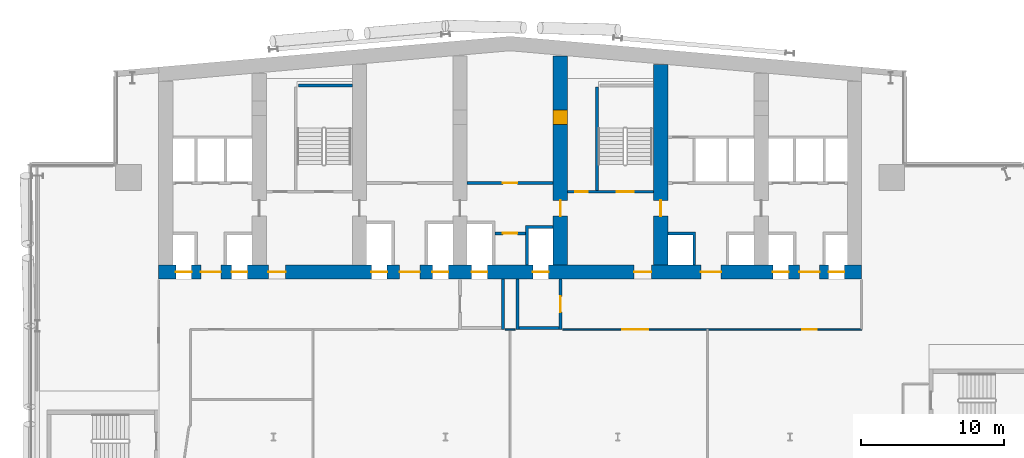
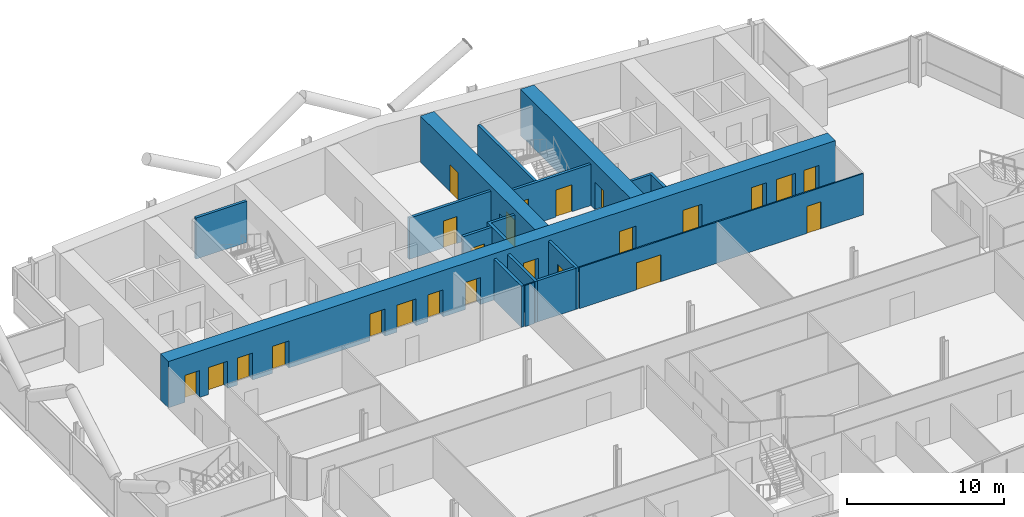
# One storey, part 18 of 28: 24 doors, 16 walls, 24 openings.
"""IFC4 building model written with IfcOpenShell, lengths in metres."""

from ifc_helpers import new_model, si_unit, direction, frame, frame_2d, origin, place, context, subcontext, project, spatial, polyline, rectangle, outline, extrude, material, layer, layer_set, type_object, element, fill, save


model = new_model("IFC4")

# Units and contexts
model_context = context("Model", 3, precision=1e-05, world=origin(), true_north=direction((0.0, 1.0)))
body_context = subcontext(model_context, "Body", "Model", "MODEL_VIEW")
ifc_project = project(units=[si_unit("LENGTHUNIT", "METRE"), si_unit("AREAUNIT", "SQUARE_METRE"), si_unit("VOLUMEUNIT", "CUBIC_METRE"), si_unit("PLANEANGLEUNIT", "RADIAN"), si_unit("MASSUNIT", "GRAM", prefix="KILO")], contexts=[model_context])

# Site, building, storey
site_placement = place(None, origin())
site = spatial("IfcSite", under=ifc_project, at=site_placement, CompositionType="ELEMENT")
building_placement = place(site_placement, origin())
building = spatial("IfcBuilding", under=site, at=building_placement, Name="Wharfspan Tower", CompositionType="ELEMENT")
storey_placement = place(building_placement, frame((0.0, 0.0, 132.699951)))
storey = spatial("IfcBuildingStorey", under=building, at=storey_placement, Name="L31", CompositionType="ELEMENT", Elevation=132.699951)

# Wall
ifc_material_1 = material(Name="Gypsum board on steel studs", Category="steel")
ifc_layer_1 = layer(ifc_material_1, 0.100098)
ifc_layer_set_1 = layer_set([ifc_layer_1], Name="Gypsum board on steel studs")
wall_type_1 = type_object("IfcWallType", Name="Compartment wall 100 EI 60", PredefinedType="PARTITIONING", material=ifc_layer_set_1)
wall_1_placement = place(storey_placement, frame((40.149902, 30.5, 0.0), z_axis=(0.0, 0.0, 1.0), x_axis=(1.0, 0.0, 0.0)))
element("IfcWall", 1, at=wall_1_placement, inside=storey, type_object=wall_type_1, Name="Partition L31.w017 (2)", PredefinedType="PARTITIONING", context=body_context, shape_type="SweptSolid", body=[
    extrude(rectangle(XDim=0.700195, YDim=0.100098, at=frame_2d((0.350098, 0.0))), origin(), (0.0, 0.0, 1.0), 3.199951),
])

# Wall, openings, doors
wall_2_placement = place(storey_placement, frame((44.149902, 30.5, 0.0), z_axis=(0.0, 0.0, 1.0), x_axis=(1.0, 0.0, 0.0)))
wall_2 = element("IfcWall", 2, at=wall_2_placement, inside=storey, type_object=wall_type_1, Name="Partition L31.w017 (3)", PredefinedType="PARTITIONING", context=body_context, shape_type="SweptSolid", body=[
    extrude(rectangle(XDim=20.850098, YDim=0.100098, at=frame_2d((10.425049, 0.0))), origin(), (0.0, 0.0, 1.0), 3.199951),
])
opening_1_placement = place(wall_2_placement, frame((4.169922, 0.0, 0.0)))
opening_1 = element("IfcOpeningElement", 3, at=opening_1_placement, cuts=wall_2, Name="Opening B5-32", PredefinedType="OPENING", context=body_context, shape_type="SweptSolid", body=[
    extrude(rectangle(XDim=1.800049, YDim=2.100098, at=frame_2d((0.899902, 1.050049))), frame((0.0, 0.060059, 0.0), z_axis=(0.0, -1.0, 0.0), x_axis=(1.0, 0.0, 0.0)), (0.0, 0.0, 1.0), 0.120117),
])
opening_2_placement = place(wall_2_placement, frame((16.719971, 0.0, 0.0)))
opening_2 = element("IfcOpeningElement", 4, at=opening_2_placement, cuts=wall_2, Name="Opening B5-33", PredefinedType="OPENING", context=body_context, shape_type="SweptSolid", body=[
    extrude(rectangle(XDim=1.0, YDim=2.100098, at=frame_2d((0.5, 1.050049))), frame((0.0, 0.060059, 0.0), z_axis=(0.0, -1.0, 0.0), x_axis=(1.0, 0.0, 0.0)), (0.0, 0.0, 1.0), 0.120117),
])
ifc_material_2 = material(Name="Fire-rated timber door leaf in steel frame", Category="steel")
door_type_1 = type_object("IfcDoorType", Name="Door 1000 FD30S Right", OperationType="SINGLE_SWING_RIGHT", PredefinedType="DOOR", material=ifc_material_2)
door_1_placement = place(opening_2_placement, origin())
door_1 = element("IfcDoor", 5, at=door_1_placement, inside=storey, type_object=door_type_1, Name="Door B5-33", OperationType="SINGLE_SWING_RIGHT", OverallHeight=2.100098, OverallWidth=1.0, PredefinedType="DOOR", context=body_context, shape_type="SweptSolid", body=[
    extrude(rectangle(XDim=1.0, YDim=2.100098, at=frame_2d((0.5, 1.050049))), frame((0.0, 0.024902, 0.0), z_axis=(0.0, -1.0, 0.0), x_axis=(1.0, 0.0, 0.0)), (0.0, 0.0, 1.0), 0.050049),
])
fill(opening_2, door_1)
door_type_2 = type_object("IfcDoorType", Name="Door 1800 FD30S Double", OperationType="DOUBLE_DOOR_SINGLE_SWING", PredefinedType="DOOR", material=ifc_material_2)
door_2_placement = place(opening_1_placement, origin())
door_2 = element("IfcDoor", 6, at=door_2_placement, inside=storey, type_object=door_type_2, Name="Door B5-32", OperationType="DOUBLE_DOOR_SINGLE_SWING", OverallHeight=2.100098, OverallWidth=1.800049, PredefinedType="DOOR", context=body_context, shape_type="SweptSolid", body=[
    extrude(rectangle(XDim=1.800049, YDim=2.100098, at=frame_2d((0.899902, 1.050049))), frame((0.0, 0.024902, 0.0), z_axis=(0.0, -1.0, 0.0), x_axis=(1.0, 0.0, 0.0)), (0.0, 0.0, 1.0), 0.050049),
])
fill(opening_1, door_2)

# Wall, opening, door
ifc_material_3 = material(Name="Calcium silicate masonry", Category="masonry")
ifc_layer_2 = layer(ifc_material_3, 0.199951)
ifc_layer_set_2 = layer_set([ifc_layer_2], Name="Calcium silicate masonry")
wall_type_2 = type_object("IfcWallType", Name="Core room wall 200", PredefinedType="PARTITIONING", material=ifc_layer_set_2)
wall_3_placement = place(storey_placement, frame((39.43335, 37.199951, 0.0), z_axis=(0.0, 0.0, 1.0), x_axis=(1.0, 0.0, 0.0)))
wall_3 = element("IfcWall", 7, at=wall_3_placement, inside=storey, type_object=wall_type_2, Name="sw:L31:FR4.2", PredefinedType="PARTITIONING", context=body_context, shape_type="SweptSolid", body=[
    extrude(rectangle(XDim=2.133301, YDim=0.199951, at=frame_2d((1.06665, 0.0))), origin(), (0.0, 0.0, 1.0), 3.199951),
])
opening_3_placement = place(wall_3_placement, frame((0.56665, 0.0, 0.0)))
opening_3 = element("IfcOpeningElement", 8, at=opening_3_placement, cuts=wall_3, Name="Opening CD31.4H2", PredefinedType="OPENING", context=body_context, shape_type="SweptSolid", body=[
    extrude(rectangle(XDim=1.0, YDim=2.100098, at=frame_2d((0.5, 1.050049))), frame((0.0, 0.109863, 0.0), z_axis=(0.0, -1.0, 0.0), x_axis=(1.0, 0.0, 0.0)), (0.0, 0.0, 1.0), 0.219971),
])
ifc_material_4 = material(Name="Steel door leaf", Category="steel")
door_type_3 = type_object("IfcDoorType", Name="Core room door 1000x2100", OperationType="SINGLE_SWING_LEFT", PredefinedType="DOOR", material=ifc_material_4)
door_3_placement = place(opening_3_placement, origin())
door_3 = element("IfcDoor", 9, at=door_3_placement, inside=storey, type_object=door_type_3, Name="d:L31:4:fh4.2", OperationType="SINGLE_SWING_RIGHT", OverallHeight=2.100098, OverallWidth=1.0, PredefinedType="DOOR", context=body_context, shape_type="SweptSolid", body=[
    extrude(rectangle(XDim=1.0, YDim=2.100098, at=frame_2d((0.5, 1.050049))), frame((0.0, 0.024902, 0.0), z_axis=(0.0, -1.0, 0.0), x_axis=(1.0, 0.0, 0.0)), (0.0, 0.0, 1.0), 0.050049),
])
fill(opening_3, door_3)

# Wall, openings, doors
ifc_material_5 = material(Name="Concrete C70/85", Category="concrete")
ifc_layer_3 = layer(ifc_material_5, 1.0)
ifc_layer_set_3 = layer_set([ifc_layer_3], Name="Concrete C70/85")
wall_type_3 = type_object("IfcWallType", Name="Core wall 1000 C70/85", PredefinedType="SHEAR", material=ifc_layer_set_3)
wall_4_placement = place(storey_placement, frame((16.0, 34.5, 0.0), z_axis=(0.0, 0.0, 1.0), x_axis=(1.0, 0.0, 0.0)))
wall_4 = element("IfcWall", 10, at=wall_4_placement, inside=storey, type_object=wall_type_3, Name="Core front wall L31", PredefinedType="SHEAR", context=body_context, shape_type="SweptSolid", body=[
    extrude(rectangle(XDim=49.0, YDim=1.0, at=frame_2d((24.5, 0.0))), origin(), (0.0, 0.0, 1.0), 3.600098),
])
opening_4_placement = place(wall_4_placement, frame((1.199951, 0.0, 0.0)))
opening_4 = element("IfcOpeningElement", 11, at=opening_4_placement, cuts=wall_4, Name="Opening LD.LA1.L31", PredefinedType="OPENING", context=body_context, shape_type="SweptSolid", body=[
    extrude(rectangle(XDim=1.100098, YDim=2.100098, at=frame_2d((0.550049, 1.050049))), frame((0.0, 0.51001, 0.0), z_axis=(0.0, -1.0, 0.0), x_axis=(1.0, 0.0, 0.0)), (0.0, 0.0, 1.0), 1.02002),
])
opening_5_placement = place(wall_4_placement, frame((5.083252, 0.0, 0.0)))
opening_5 = element("IfcOpeningElement", 12, at=opening_5_placement, cuts=wall_4, Name="Opening LD.LA2.L31", PredefinedType="OPENING", context=body_context, shape_type="SweptSolid", body=[
    extrude(rectangle(XDim=1.100098, YDim=2.100098, at=frame_2d((0.550049, 1.050049))), frame((0.0, 0.51001, 0.0), z_axis=(0.0, -1.0, 0.0), x_axis=(1.0, 0.0, 0.0)), (0.0, 0.0, 1.0), 1.02002),
])
opening_6_placement = place(wall_4_placement, frame((2.93335, 0.0, 0.0)))
opening_6 = element("IfcOpeningElement", 13, at=opening_6_placement, cuts=wall_4, Name="Opening HD31.1", PredefinedType="OPENING", context=body_context, shape_type="SweptSolid", body=[
    extrude(rectangle(XDim=1.399902, YDim=2.100098, at=frame_2d((0.699951, 1.050049))), frame((0.0, 0.51001, 0.0), z_axis=(0.0, -1.0, 0.0), x_axis=(1.0, 0.0, 0.0)), (0.0, 0.0, 1.0), 1.02002),
])
opening_7_placement = place(wall_4_placement, frame((7.649902, 0.0, 0.0)))
opening_7 = element("IfcOpeningElement", 14, at=opening_7_placement, cuts=wall_4, Name="Opening SV2.L31", PredefinedType="OPENING", context=body_context, shape_type="SweptSolid", body=[
    extrude(rectangle(XDim=1.199951, YDim=2.100098, at=frame_2d((0.600098, 1.050049))), frame((0.0, 0.51001, 0.0), z_axis=(0.0, -1.0, 0.0), x_axis=(1.0, 0.0, 0.0)), (0.0, 0.0, 1.0), 1.02002),
])
opening_8_placement = place(wall_4_placement, frame((14.81665, 0.0, 0.0)))
opening_8 = element("IfcOpeningElement", 15, at=opening_8_placement, cuts=wall_4, Name="Opening LD.SL1.L31", PredefinedType="OPENING", context=body_context, shape_type="SweptSolid", body=[
    extrude(rectangle(XDim=1.100098, YDim=2.100098, at=frame_2d((0.550049, 1.050049))), frame((0.0, 0.51001, 0.0), z_axis=(0.0, -1.0, 0.0), x_axis=(1.0, 0.0, 0.0)), (0.0, 0.0, 1.0), 1.02002),
])
opening_9_placement = place(wall_4_placement, frame((19.083252, 0.0, 0.0)))
opening_9 = element("IfcOpeningElement", 16, at=opening_9_placement, cuts=wall_4, Name="Opening LD.SL2.L31", PredefinedType="OPENING", context=body_context, shape_type="SweptSolid", body=[
    extrude(rectangle(XDim=1.100098, YDim=2.100098, at=frame_2d((0.550049, 1.050049))), frame((0.0, 0.51001, 0.0), z_axis=(0.0, -1.0, 0.0), x_axis=(1.0, 0.0, 0.0)), (0.0, 0.0, 1.0), 1.02002),
])
opening_10_placement = place(wall_4_placement, frame((16.800049, 0.0, 0.0)))
opening_10 = element("IfcOpeningElement", 17, at=opening_10_placement, cuts=wall_4, Name="Opening HD31.3", PredefinedType="OPENING", context=body_context, shape_type="SweptSolid", body=[
    extrude(rectangle(XDim=1.399902, YDim=2.100098, at=frame_2d((0.699951, 1.050049))), frame((0.0, 0.51001, 0.0), z_axis=(0.0, -1.0, 0.0), x_axis=(1.0, 0.0, 0.0)), (0.0, 0.0, 1.0), 1.02002),
])
opening_11_placement = place(wall_4_placement, frame((21.81665, 0.0, 0.0)))
opening_11 = element("IfcOpeningElement", 18, at=opening_11_placement, cuts=wall_4, Name="Opening LD.FF1.L31", PredefinedType="OPENING", context=body_context, shape_type="SweptSolid", body=[
    extrude(rectangle(XDim=1.100098, YDim=2.100098, at=frame_2d((0.550049, 1.050049))), frame((0.0, 0.51001, 0.0), z_axis=(0.0, -1.0, 0.0), x_axis=(1.0, 0.0, 0.0)), (0.0, 0.0, 1.0), 1.02002),
])
opening_12_placement = place(wall_4_placement, frame((26.083252, 0.0, 0.0)))
opening_12 = element("IfcOpeningElement", 19, at=opening_12_placement, cuts=wall_4, Name="Opening LD.FF2.L31", PredefinedType="OPENING", context=body_context, shape_type="SweptSolid", body=[
    extrude(rectangle(XDim=1.100098, YDim=2.100098, at=frame_2d((0.550049, 1.050049))), frame((0.0, 0.51001, 0.0), z_axis=(0.0, -1.0, 0.0), x_axis=(1.0, 0.0, 0.0)), (0.0, 0.0, 1.0), 1.02002),
])
opening_13_placement = place(wall_4_placement, frame((33.149902, 0.0, 0.0)))
opening_13 = element("IfcOpeningElement", 20, at=opening_13_placement, cuts=wall_4, Name="Opening SV5.L31", PredefinedType="OPENING", context=body_context, shape_type="SweptSolid", body=[
    extrude(rectangle(XDim=1.199951, YDim=2.100098, at=frame_2d((0.600098, 1.050049))), frame((0.0, 0.51001, 0.0), z_axis=(0.0, -1.0, 0.0), x_axis=(1.0, 0.0, 0.0)), (0.0, 0.0, 1.0), 1.02002),
])
opening_14_placement = place(wall_4_placement, frame((37.800049, 0.0, 0.0)))
opening_14 = element("IfcOpeningElement", 21, at=opening_14_placement, cuts=wall_4, Name="Opening HD31.6", PredefinedType="OPENING", context=body_context, shape_type="SweptSolid", body=[
    extrude(rectangle(XDim=1.399902, YDim=2.100098, at=frame_2d((0.699951, 1.050049))), frame((0.0, 0.51001, 0.0), z_axis=(0.0, -1.0, 0.0), x_axis=(1.0, 0.0, 0.0)), (0.0, 0.0, 1.0), 1.02002),
])
opening_15_placement = place(wall_4_placement, frame((42.81665, 0.0, 0.0)))
opening_15 = element("IfcOpeningElement", 22, at=opening_15_placement, cuts=wall_4, Name="Opening LD.LA6.L31", PredefinedType="OPENING", context=body_context, shape_type="SweptSolid", body=[
    extrude(rectangle(XDim=1.100098, YDim=2.100098, at=frame_2d((0.550049, 1.050049))), frame((0.0, 0.51001, 0.0), z_axis=(0.0, -1.0, 0.0), x_axis=(1.0, 0.0, 0.0)), (0.0, 0.0, 1.0), 1.02002),
])
opening_16_placement = place(wall_4_placement, frame((46.699951, 0.0, 0.0)))
opening_16 = element("IfcOpeningElement", 23, at=opening_16_placement, cuts=wall_4, Name="Opening LD.LA7.L31", PredefinedType="OPENING", context=body_context, shape_type="SweptSolid", body=[
    extrude(rectangle(XDim=1.100098, YDim=2.100098, at=frame_2d((0.550049, 1.050049))), frame((0.0, 0.51001, 0.0), z_axis=(0.0, -1.0, 0.0), x_axis=(1.0, 0.0, 0.0)), (0.0, 0.0, 1.0), 1.02002),
])
opening_17_placement = place(wall_4_placement, frame((44.666748, 0.0, 0.0)))
opening_17 = element("IfcOpeningElement", 24, at=opening_17_placement, cuts=wall_4, Name="Opening HD31.7", PredefinedType="OPENING", context=body_context, shape_type="SweptSolid", body=[
    extrude(rectangle(XDim=1.399902, YDim=2.100098, at=frame_2d((0.699951, 1.050049))), frame((0.0, 0.51001, 0.0), z_axis=(0.0, -1.0, 0.0), x_axis=(1.0, 0.0, 0.0)), (0.0, 0.0, 1.0), 1.02002),
])
door_type_4 = type_object("IfcDoorType", Name="Hall entry door 1400x2100", OperationType="DOUBLE_DOOR_SINGLE_SWING", PredefinedType="DOOR", material=ifc_material_4)
door_4_placement = place(opening_6_placement, origin())
door_4 = element("IfcDoor", 25, at=door_4_placement, inside=storey, type_object=door_type_4, Name="d:L31:1:hd1", OperationType="DOUBLE_DOOR_SINGLE_SWING", OverallHeight=2.100098, OverallWidth=1.399902, PredefinedType="DOOR", context=body_context, shape_type="SweptSolid", body=[
    extrude(rectangle(XDim=1.399902, YDim=2.100098, at=frame_2d((0.699951, 1.050049))), frame((0.0, 0.024902, 0.0), z_axis=(0.0, -1.0, 0.0), x_axis=(1.0, 0.0, 0.0)), (0.0, 0.0, 1.0), 0.050049),
])
fill(opening_6, door_4)
door_5_placement = place(opening_10_placement, origin())
door_5 = element("IfcDoor", 26, at=door_5_placement, inside=storey, type_object=door_type_4, Name="d:L31:3:hd3", OperationType="DOUBLE_DOOR_SINGLE_SWING", OverallHeight=2.100098, OverallWidth=1.399902, PredefinedType="DOOR", context=body_context, shape_type="SweptSolid", body=[
    extrude(rectangle(XDim=1.399902, YDim=2.100098, at=frame_2d((0.699951, 1.050049))), frame((0.0, 0.024902, 0.0), z_axis=(0.0, -1.0, 0.0), x_axis=(1.0, 0.0, 0.0)), (0.0, 0.0, 1.0), 0.050049),
])
fill(opening_10, door_5)
door_6_placement = place(opening_14_placement, origin())
door_6 = element("IfcDoor", 27, at=door_6_placement, inside=storey, type_object=door_type_4, Name="d:L31:6:hd6", OperationType="DOUBLE_DOOR_SINGLE_SWING", OverallHeight=2.100098, OverallWidth=1.399902, PredefinedType="DOOR", context=body_context, shape_type="SweptSolid", body=[
    extrude(rectangle(XDim=1.399902, YDim=2.100098, at=frame_2d((0.699951, 1.050049))), frame((0.0, 0.024902, 0.0), z_axis=(0.0, -1.0, 0.0), x_axis=(1.0, 0.0, 0.0)), (0.0, 0.0, 1.0), 0.050049),
])
fill(opening_14, door_6)
door_7_placement = place(opening_17_placement, origin())
door_7 = element("IfcDoor", 28, at=door_7_placement, inside=storey, type_object=door_type_4, Name="d:L31:7:hd7", OperationType="DOUBLE_DOOR_SINGLE_SWING", OverallHeight=2.100098, OverallWidth=1.399902, PredefinedType="DOOR", context=body_context, shape_type="SweptSolid", body=[
    extrude(rectangle(XDim=1.399902, YDim=2.100098, at=frame_2d((0.699951, 1.050049))), frame((0.0, 0.024902, 0.0), z_axis=(0.0, -1.0, 0.0), x_axis=(1.0, 0.0, 0.0)), (0.0, 0.0, 1.0), 0.050049),
])
fill(opening_17, door_7)
ifc_material_6 = material(Name="Stainless steel", Category="steel")
door_type_5 = type_object("IfcDoorType", Name="Lift landing door 1100x2100", OperationType="DOUBLE_DOOR_SLIDING", PredefinedType="DOOR", material=ifc_material_6)
door_8_placement = place(opening_4_placement, origin())
door_8 = element("IfcDoor", 29, at=door_8_placement, inside=storey, type_object=door_type_5, Name="Landing door LA1 L31", OperationType="DOUBLE_DOOR_SLIDING", OverallHeight=2.100098, OverallWidth=1.100098, PredefinedType="DOOR", context=body_context, shape_type="SweptSolid", body=[
    extrude(rectangle(XDim=1.100098, YDim=2.100098, at=frame_2d((0.550049, 1.050049))), frame((0.0, 0.024902, 0.0), z_axis=(0.0, -1.0, 0.0), x_axis=(1.0, 0.0, 0.0)), (0.0, 0.0, 1.0), 0.050049),
])
fill(opening_4, door_8)
door_9_placement = place(opening_5_placement, origin())
door_9 = element("IfcDoor", 30, at=door_9_placement, inside=storey, type_object=door_type_5, Name="Landing door LA2 L31", OperationType="DOUBLE_DOOR_SLIDING", OverallHeight=2.100098, OverallWidth=1.100098, PredefinedType="DOOR", context=body_context, shape_type="SweptSolid", body=[
    extrude(rectangle(XDim=1.100098, YDim=2.100098, at=frame_2d((0.550049, 1.050049))), frame((0.0, 0.024902, 0.0), z_axis=(0.0, -1.0, 0.0), x_axis=(1.0, 0.0, 0.0)), (0.0, 0.0, 1.0), 0.050049),
])
fill(opening_5, door_9)
door_10_placement = place(opening_8_placement, origin())
door_10 = element("IfcDoor", 31, at=door_10_placement, inside=storey, type_object=door_type_5, Name="Landing door SL1 L31", OperationType="DOUBLE_DOOR_SLIDING", OverallHeight=2.100098, OverallWidth=1.100098, PredefinedType="DOOR", context=body_context, shape_type="SweptSolid", body=[
    extrude(rectangle(XDim=1.100098, YDim=2.100098, at=frame_2d((0.550049, 1.050049))), frame((0.0, 0.024902, 0.0), z_axis=(0.0, -1.0, 0.0), x_axis=(1.0, 0.0, 0.0)), (0.0, 0.0, 1.0), 0.050049),
])
fill(opening_8, door_10)
door_11_placement = place(opening_9_placement, origin())
door_11 = element("IfcDoor", 32, at=door_11_placement, inside=storey, type_object=door_type_5, Name="Landing door SL2 L31", OperationType="DOUBLE_DOOR_SLIDING", OverallHeight=2.100098, OverallWidth=1.100098, PredefinedType="DOOR", context=body_context, shape_type="SweptSolid", body=[
    extrude(rectangle(XDim=1.100098, YDim=2.100098, at=frame_2d((0.550049, 1.050049))), frame((0.0, 0.024902, 0.0), z_axis=(0.0, -1.0, 0.0), x_axis=(1.0, 0.0, 0.0)), (0.0, 0.0, 1.0), 0.050049),
])
fill(opening_9, door_11)
door_12_placement = place(opening_11_placement, origin())
door_12 = element("IfcDoor", 33, at=door_12_placement, inside=storey, type_object=door_type_5, Name="Landing door FF1 L31", OperationType="DOUBLE_DOOR_SLIDING", OverallHeight=2.100098, OverallWidth=1.100098, PredefinedType="DOOR", context=body_context, shape_type="SweptSolid", body=[
    extrude(rectangle(XDim=1.100098, YDim=2.100098, at=frame_2d((0.550049, 1.050049))), frame((0.0, 0.024902, 0.0), z_axis=(0.0, -1.0, 0.0), x_axis=(1.0, 0.0, 0.0)), (0.0, 0.0, 1.0), 0.050049),
])
fill(opening_11, door_12)
door_13_placement = place(opening_12_placement, origin())
door_13 = element("IfcDoor", 34, at=door_13_placement, inside=storey, type_object=door_type_5, Name="Landing door FF2 L31", OperationType="DOUBLE_DOOR_SLIDING", OverallHeight=2.100098, OverallWidth=1.100098, PredefinedType="DOOR", context=body_context, shape_type="SweptSolid", body=[
    extrude(rectangle(XDim=1.100098, YDim=2.100098, at=frame_2d((0.550049, 1.050049))), frame((0.0, 0.024902, 0.0), z_axis=(0.0, -1.0, 0.0), x_axis=(1.0, 0.0, 0.0)), (0.0, 0.0, 1.0), 0.050049),
])
fill(opening_12, door_13)
door_14_placement = place(opening_15_placement, origin())
door_14 = element("IfcDoor", 35, at=door_14_placement, inside=storey, type_object=door_type_5, Name="Landing door LA6 L31", OperationType="DOUBLE_DOOR_SLIDING", OverallHeight=2.100098, OverallWidth=1.100098, PredefinedType="DOOR", context=body_context, shape_type="SweptSolid", body=[
    extrude(rectangle(XDim=1.100098, YDim=2.100098, at=frame_2d((0.550049, 1.050049))), frame((0.0, 0.024902, 0.0), z_axis=(0.0, -1.0, 0.0), x_axis=(1.0, 0.0, 0.0)), (0.0, 0.0, 1.0), 0.050049),
])
fill(opening_15, door_14)
door_15_placement = place(opening_16_placement, origin())
door_15 = element("IfcDoor", 36, at=door_15_placement, inside=storey, type_object=door_type_5, Name="Landing door LA7 L31", OperationType="DOUBLE_DOOR_SLIDING", OverallHeight=2.100098, OverallWidth=1.100098, PredefinedType="DOOR", context=body_context, shape_type="SweptSolid", body=[
    extrude(rectangle(XDim=1.100098, YDim=2.100098, at=frame_2d((0.550049, 1.050049))), frame((0.0, 0.024902, 0.0), z_axis=(0.0, -1.0, 0.0), x_axis=(1.0, 0.0, 0.0)), (0.0, 0.0, 1.0), 0.050049),
])
fill(opening_16, door_15)
door_type_6 = type_object("IfcDoorType", Name="Stair door 1200x2100", OperationType="SINGLE_SWING_LEFT", PredefinedType="DOOR", material=ifc_material_4)
door_16_placement = place(opening_7_placement, origin())
door_16 = element("IfcDoor", 37, at=door_16_placement, inside=storey, type_object=door_type_6, Name="vd:L31:2", OperationType="SINGLE_SWING_LEFT", OverallHeight=2.100098, OverallWidth=1.199951, PredefinedType="DOOR", context=body_context, shape_type="SweptSolid", body=[
    extrude(rectangle(XDim=1.199951, YDim=2.100098, at=frame_2d((0.600098, 1.050049))), frame((0.0, 0.024902, 0.0), z_axis=(0.0, -1.0, 0.0), x_axis=(1.0, 0.0, 0.0)), (0.0, 0.0, 1.0), 0.050049),
])
fill(opening_7, door_16)
door_17_placement = place(opening_13_placement, origin())
door_17 = element("IfcDoor", 38, at=door_17_placement, inside=storey, type_object=door_type_6, Name="vd:L31:5", OperationType="SINGLE_SWING_LEFT", OverallHeight=2.100098, OverallWidth=1.199951, PredefinedType="DOOR", context=body_context, shape_type="SweptSolid", body=[
    extrude(rectangle(XDim=1.199951, YDim=2.100098, at=frame_2d((0.600098, 1.050049))), frame((0.0, 0.024902, 0.0), z_axis=(0.0, -1.0, 0.0), x_axis=(1.0, 0.0, 0.0)), (0.0, 0.0, 1.0), 0.050049),
])
fill(opening_13, door_17)

wall_5_placement = place(storey_placement, frame((44.0, 35.0, 0.0), z_axis=(0.0, 0.0, 1.0), x_axis=(0.0, 1.0, 0.0)))
wall_5 = element("IfcWall", 39, at=wall_5_placement, inside=storey, type_object=wall_type_3, Name="Core cross wall X5 L31", PredefinedType="SHEAR", context=body_context, shape_type="SweptSolid", body=[
    extrude(rectangle(XDim=14.577148, YDim=1.0, at=frame_2d((7.288574, 0.0))), origin(), (0.0, 0.0, 1.0), 3.600098),
])
opening_18_placement = place(wall_5_placement, frame((3.399902, 0.0, 0.0)))
opening_18 = element("IfcOpeningElement", 40, at=opening_18_placement, cuts=wall_5, Name="Opening CC31.5", PredefinedType="OPENING", context=body_context, shape_type="SweptSolid", body=[
    extrude(rectangle(XDim=1.100098, YDim=2.100098, at=frame_2d((0.550049, 1.050049))), frame((0.0, 0.51001, 0.0), z_axis=(0.0, -1.0, 0.0), x_axis=(1.0, 0.0, 0.0)), (0.0, 0.0, 1.0), 1.02002),
])
opening_19_placement = place(wall_5_placement, frame((9.800049, 0.0, 0.0)))
opening_19 = element("IfcOpeningElement", 41, at=opening_19_placement, cuts=wall_5, Name="Opening CR31.5", PredefinedType="OPENING", context=body_context, shape_type="SweptSolid", body=[
    extrude(rectangle(XDim=1.0, YDim=2.100098, at=frame_2d((0.5, 1.050049))), frame((0.0, 0.51001, 0.0), z_axis=(0.0, -1.0, 0.0), x_axis=(1.0, 0.0, 0.0)), (0.0, 0.0, 1.0), 1.02002),
])
door_type_7 = type_object("IfcDoorType", Name="Core corridor door 1100x2100", OperationType="SINGLE_SWING_LEFT", PredefinedType="DOOR", material=ifc_material_4)
door_18_placement = place(opening_18_placement, origin())
door_18 = element("IfcDoor", 42, at=door_18_placement, inside=storey, type_object=door_type_7, Name="xd:L31:5", OperationType="SINGLE_SWING_LEFT", OverallHeight=2.100098, OverallWidth=1.100098, PredefinedType="DOOR", context=body_context, shape_type="SweptSolid", body=[
    extrude(rectangle(XDim=1.100098, YDim=2.100098, at=frame_2d((0.550049, 1.050049))), frame((0.0, 0.024902, 0.0), z_axis=(0.0, -1.0, 0.0), x_axis=(1.0, 0.0, 0.0)), (0.0, 0.0, 1.0), 0.050049),
])
fill(opening_18, door_18)
door_19_placement = place(opening_19_placement, origin())
door_19 = element("IfcDoor", 43, at=door_19_placement, inside=storey, type_object=door_type_3, Name="xr:L31:5", OperationType="SINGLE_SWING_RIGHT", OverallHeight=2.100098, OverallWidth=1.0, PredefinedType="DOOR", context=body_context, shape_type="SweptSolid", body=[
    extrude(rectangle(XDim=1.0, YDim=2.100098, at=frame_2d((0.5, 1.050049))), frame((0.0, 0.499756, 0.0), z_axis=(0.0, -1.0, 0.0), x_axis=(1.0, 0.0, 0.0)), (0.0, 0.0, 1.0), 0.999512),
])
fill(opening_19, door_19)

# Wall, opening, door
wall_6_placement = place(storey_placement, frame((51.0, 35.0, 0.0), z_axis=(0.0, 0.0, 1.0), x_axis=(0.0, 1.0, 0.0)))
wall_6 = element("IfcWall", 44, at=wall_6_placement, inside=storey, type_object=wall_type_3, Name="Core cross wall X6 L31", PredefinedType="SHEAR", context=body_context, shape_type="SweptSolid", body=[
    extrude(rectangle(XDim=13.9646, YDim=1.0, at=frame_2d((6.982422, 0.0))), origin(), (0.0, 0.0, 1.0), 3.600098),
])
opening_20_placement = place(wall_6_placement, frame((3.399902, 0.0, 0.0)))
opening_20 = element("IfcOpeningElement", 45, at=opening_20_placement, cuts=wall_6, Name="Opening CC31.6", PredefinedType="OPENING", context=body_context, shape_type="SweptSolid", body=[
    extrude(rectangle(XDim=1.100098, YDim=2.100098, at=frame_2d((0.550049, 1.050049))), frame((0.0, 0.51001, 0.0), z_axis=(0.0, -1.0, 0.0), x_axis=(1.0, 0.0, 0.0)), (0.0, 0.0, 1.0), 1.02002),
])
door_20_placement = place(opening_20_placement, origin())
door_20 = element("IfcDoor", 46, at=door_20_placement, inside=storey, type_object=door_type_7, Name="xd:L31:6", OperationType="SINGLE_SWING_RIGHT", OverallHeight=2.100098, OverallWidth=1.100098, PredefinedType="DOOR", context=body_context, shape_type="SweptSolid", body=[
    extrude(rectangle(XDim=1.100098, YDim=2.100098, at=frame_2d((0.550049, 1.050049))), frame((0.0, 0.024902, 0.0), z_axis=(0.0, -1.0, 0.0), x_axis=(1.0, 0.0, 0.0)), (0.0, 0.0, 1.0), 0.050049),
])
fill(opening_20, door_20)

ifc_material_7 = material(Name="Concrete C30/37", Category="concrete")
ifc_layer_4 = layer(ifc_material_7, 0.199951)
ifc_layer_set_4 = layer_set([ifc_layer_4], Name="Concrete C30/37")
wall_type_4 = type_object("IfcWallType", Name="Lift shaft wall 200", PredefinedType="PARTITIONING", material=ifc_layer_set_4)
wall_7_placement = place(storey_placement, frame((37.5, 40.699951, 0.0), z_axis=(0.0, 0.0, 1.0), x_axis=(1.0, 0.0, 0.0)))
wall_7 = element("IfcWall", 47, at=wall_7_placement, inside=storey, type_object=wall_type_4, Name="sw:L31:RF4", PredefinedType="PARTITIONING", context=body_context, shape_type="SweptSolid", body=[
    extrude(rectangle(XDim=6.0, YDim=0.199951, at=frame_2d((3.0, 0.0))), origin(), (0.0, 0.0, 1.0), 3.199951),
])
opening_21_placement = place(wall_7_placement, frame((2.5, 0.0, 0.0)))
opening_21 = element("IfcOpeningElement", 48, at=opening_21_placement, cuts=wall_7, Name="Opening CD31.4S", PredefinedType="OPENING", context=body_context, shape_type="SweptSolid", body=[
    extrude(rectangle(XDim=1.0, YDim=2.100098, at=frame_2d((0.5, 1.050049))), frame((0.0, 0.109863, 0.0), z_axis=(0.0, -1.0, 0.0), x_axis=(1.0, 0.0, 0.0)), (0.0, 0.0, 1.0), 0.219971),
])
door_21_placement = place(opening_21_placement, origin())
door_21 = element("IfcDoor", 49, at=door_21_placement, inside=storey, type_object=door_type_3, Name="d:L31:4:sf", OperationType="SINGLE_SWING_LEFT", OverallHeight=2.100098, OverallWidth=1.0, PredefinedType="DOOR", context=body_context, shape_type="SweptSolid", body=[
    extrude(rectangle(XDim=1.0, YDim=2.100098, at=frame_2d((0.5, 1.050049))), frame((0.0, 0.024902, 0.0), z_axis=(0.0, -1.0, 0.0), x_axis=(1.0, 0.0, 0.0)), (0.0, 0.0, 1.0), 0.050049),
])
fill(opening_21, door_21)

# Walls
wall_8_placement = place(storey_placement, frame((0.0, 0.0, -0.000244)))
element("IfcWall", 50, at=wall_8_placement, inside=storey, type_object=wall_type_4, Name="sw:L31:FM4.0", PredefinedType="PARTITIONING", context=body_context, shape_type="SweptSolid", body=[
    extrude(outline(polyline([(41.56665, 37.75), (41.766602, 37.75), (43.5, 37.75), (43.5, 37.550049), (41.766602, 37.550049), (41.766602, 35.0), (41.56665, 35.0), (41.56665, 37.75)])), origin(), (0.0, 0.0, 1.0), 3.200195),
])
wall_9_placement = place(storey_placement, frame((0.0, 0.0, -0.000244)))
element("IfcWall", 51, at=wall_9_placement, inside=storey, type_object=wall_type_4, Name="sw:L31:FM6.0", PredefinedType="PARTITIONING", context=body_context, shape_type="SweptSolid", body=[
    extrude(outline(polyline([(53.233398, 37.100098), (51.5, 37.100098), (51.5, 37.300049), (53.233398, 37.300049), (53.43335, 37.300049), (53.43335, 35.0), (53.233398, 35.0), (53.233398, 37.100098)])), origin(), (0.0, 0.0, 1.0), 3.200195),
])
ifc_layer_5 = layer(ifc_material_7, 0.199951)
ifc_layer_set_5 = layer_set([ifc_layer_5], Name="Concrete C30/37")
wall_type_5 = type_object("IfcWallType", Name="Lobby wall 200", PredefinedType="PARTITIONING", material=ifc_layer_set_5)
for number, where, z_axis, x_axis, name in (
    (52, (40.0, 30.5, 0.0), (0.0, 0.0, 1.0), (0.0, 1.0, 0.0), "sw:L31:FLFF1E"),
    (53, (41.0, 30.5, 0.0), (0.0, 0.0, 1.0), (0.0, 1.0, 0.0), "sw:L31:FLFF2W"),
):
    element("IfcWall", number, at=place(storey_placement, frame(where, z_axis=z_axis, x_axis=x_axis)), inside=storey, type_object=wall_type_5, Name=name, PredefinedType="PARTITIONING", context=body_context, shape_type="SweptSolid", body=[
        extrude(rectangle(XDim=3.5, YDim=0.199951, at=frame_2d((1.75, 0.0))), origin(), (0.0, 0.0, 1.0), 3.199951),
    ])

# Wall, opening, door
wall_10_placement = place(storey_placement, frame((44.0, 30.5, 0.0), z_axis=(0.0, 0.0, 1.0), x_axis=(0.0, 1.0, 0.0)))
wall_10 = element("IfcWall", 54, at=wall_10_placement, inside=storey, type_object=wall_type_5, Name="sw:L31:FLFF2E", PredefinedType="PARTITIONING", context=body_context, shape_type="SweptSolid", body=[
    extrude(rectangle(XDim=3.5, YDim=0.199951, at=frame_2d((1.75, 0.0))), origin(), (0.0, 0.0, 1.0), 3.199951),
])
opening_22_placement = place(wall_10_placement, frame((1.199951, 0.0, 0.0)))
opening_22 = element("IfcOpeningElement", 55, at=opening_22_placement, cuts=wall_10, Name="Opening FL.FF2.L31", PredefinedType="OPENING", context=body_context, shape_type="SweptSolid", body=[
    extrude(rectangle(XDim=1.100098, YDim=2.100098, at=frame_2d((0.550049, 1.050049))), frame((0.0, 0.109863, 0.0), z_axis=(0.0, -1.0, 0.0), x_axis=(1.0, 0.0, 0.0)), (0.0, 0.0, 1.0), 0.219971),
])
door_type_8 = type_object("IfcDoorType", Name="Firefighting lobby door 1100x2100", OperationType="SINGLE_SWING_LEFT", PredefinedType="DOOR", material=ifc_material_4)
door_22_placement = place(opening_22_placement, origin())
door_22 = element("IfcDoor", 56, at=door_22_placement, inside=storey, type_object=door_type_8, Name="fd:L31:FF2", OperationType="SINGLE_SWING_LEFT", OverallHeight=2.100098, OverallWidth=1.100098, PredefinedType="DOOR", context=body_context, shape_type="SweptSolid", body=[
    extrude(rectangle(XDim=1.100098, YDim=2.100098, at=frame_2d((0.550049, 1.050049))), frame((0.0, 0.024902, 0.0), z_axis=(0.0, -1.0, 0.0), x_axis=(1.0, 0.0, 0.0)), (0.0, 0.0, 1.0), 0.050049),
])
fill(opening_22, door_22)

# Walls
wall_11_placement = place(storey_placement, frame((41.100098, 30.600098, 0.0), z_axis=(0.0, 0.0, 1.0), x_axis=(1.0, 0.0, 0.0)))
element("IfcWall", 57, at=wall_11_placement, inside=storey, type_object=wall_type_5, Name="sw:L31:FLFF2F", PredefinedType="PARTITIONING", context=body_context, shape_type="SweptSolid", body=[
    extrude(rectangle(XDim=2.799805, YDim=0.199951, at=frame_2d((1.399902, 0.0))), origin(), (0.0, 0.0, 1.0), 3.199951),
])
ifc_material_8 = material(Name="Concrete C40/50", Category="concrete")
ifc_layer_6 = layer(ifc_material_8, 0.199951)
ifc_layer_set_6 = layer_set([ifc_layer_6], Name="Concrete C40/50")
wall_type_6 = type_object("IfcWallType", Name="Stair shaft wall 200", PredefinedType="SHEAR", material=ifc_layer_set_6)
wall_12_placement = place(storey_placement, frame((25.75, 47.5, 0.0), z_axis=(0.0, 0.0, 1.0), x_axis=(1.0, 0.0, 0.0)))
element("IfcWall", 58, at=wall_12_placement, inside=storey, type_object=wall_type_6, Name="ST1 stair enclosure wall L31", PredefinedType="SHEAR", context=body_context, shape_type="SweptSolid", body=[
    extrude(rectangle(XDim=3.75, YDim=0.199951, at=frame_2d((1.875, 0.0))), origin(), (0.0, 0.0, 1.0), 3.199951),
])

# Wall, openings, doors
wall_13_placement = place(storey_placement, frame((44.5, 40.100098, 0.0), z_axis=(0.0, 0.0, 1.0), x_axis=(1.0, 0.0, 0.0)))
wall_13 = element("IfcWall", 59, at=wall_13_placement, inside=storey, type_object=wall_type_6, Name="ST2 stair enclosure wall L31", PredefinedType="SHEAR", context=body_context, shape_type="SweptSolid", body=[
    extrude(rectangle(XDim=6.0, YDim=0.199951, at=frame_2d((3.0, 0.0))), origin(), (0.0, 0.0, 1.0), 3.199951),
])
opening_23_placement = place(wall_13_placement, frame((3.425049, 0.0, 0.0)))
opening_23 = element("IfcOpeningElement", 60, at=opening_23_placement, cuts=wall_13, Name="Opening SD5.L31", PredefinedType="OPENING", context=body_context, shape_type="SweptSolid", body=[
    extrude(rectangle(XDim=1.199951, YDim=2.100098, at=frame_2d((0.600098, 1.050049))), frame((0.0, 0.109863, 0.0), z_axis=(0.0, -1.0, 0.0), x_axis=(1.0, 0.0, 0.0)), (0.0, 0.0, 1.0), 0.219971),
])
opening_24_placement = place(wall_13_placement, frame((0.524902, 0.0, 0.0)))
opening_24 = element("IfcOpeningElement", 61, at=opening_24_placement, cuts=wall_13, Name="Opening CD31.5R", PredefinedType="OPENING", context=body_context, shape_type="SweptSolid", body=[
    extrude(rectangle(XDim=0.899902, YDim=2.100098, at=frame_2d((0.449951, 1.050049))), frame((0.0, 0.109863, 0.0), z_axis=(0.0, -1.0, 0.0), x_axis=(1.0, 0.0, 0.0)), (0.0, 0.0, 1.0), 0.219971),
])
door_23_placement = place(opening_24_placement, origin())
door_23 = element("IfcDoor", 62, at=door_23_placement, inside=storey, type_object=door_type_3, Name="rk:L31:5", OperationType="SINGLE_SWING_LEFT", OverallHeight=2.100098, OverallWidth=0.899902, PredefinedType="DOOR", context=body_context, shape_type="SweptSolid", body=[
    extrude(rectangle(XDim=0.899902, YDim=2.100098, at=frame_2d((0.449951, 1.050049))), frame((0.0, 0.024902, 0.0), z_axis=(0.0, -1.0, 0.0), x_axis=(1.0, 0.0, 0.0)), (0.0, 0.0, 1.0), 0.050049),
])
fill(opening_24, door_23)
door_24_placement = place(opening_23_placement, origin())
door_24 = element("IfcDoor", 63, at=door_24_placement, inside=storey, type_object=door_type_6, Name="sd:L31:5", OperationType="SINGLE_SWING_RIGHT", OverallHeight=2.100098, OverallWidth=1.199951, PredefinedType="DOOR", context=body_context, shape_type="SweptSolid", body=[
    extrude(rectangle(XDim=1.199951, YDim=2.100098, at=frame_2d((0.600098, 1.050049))), frame((0.0, 0.024902, 0.0), z_axis=(0.0, -1.0, 0.0), x_axis=(1.0, 0.0, 0.0)), (0.0, 0.0, 1.0), 0.050049),
])
fill(opening_23, door_24)

# Wall
wall_14_placement = place(storey_placement, frame((46.550049, 40.199951, 0.0), z_axis=(0.0, 0.0, 1.0), x_axis=(0.0, 1.0, 0.0)))
element("IfcWall", 64, at=wall_14_placement, inside=storey, type_object=wall_type_6, Name="ST2 stair enclosure wall L31", PredefinedType="SHEAR", context=body_context, shape_type="SweptSolid", body=[
    extrude(rectangle(XDim=7.199951, YDim=0.199951, at=frame_2d((3.600098, 0.0))), origin(), (0.0, 0.0, 1.0), 3.199951),
])

save(model, "model.ifc")
